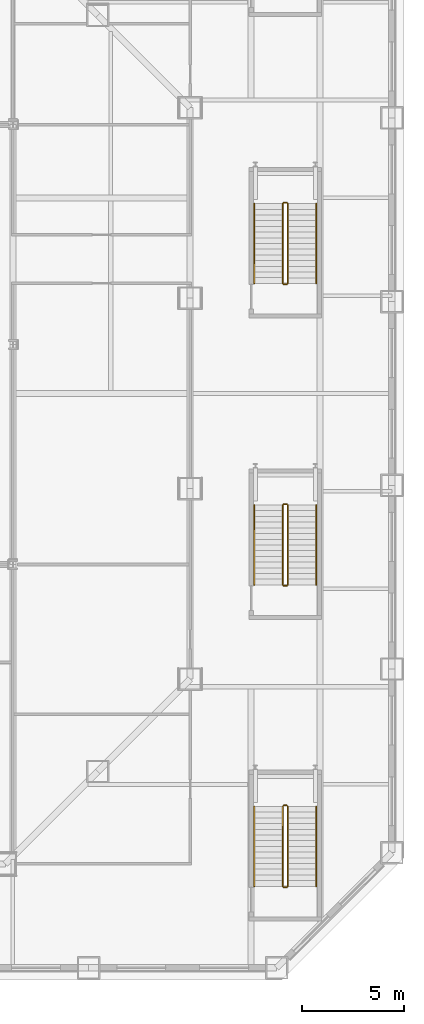
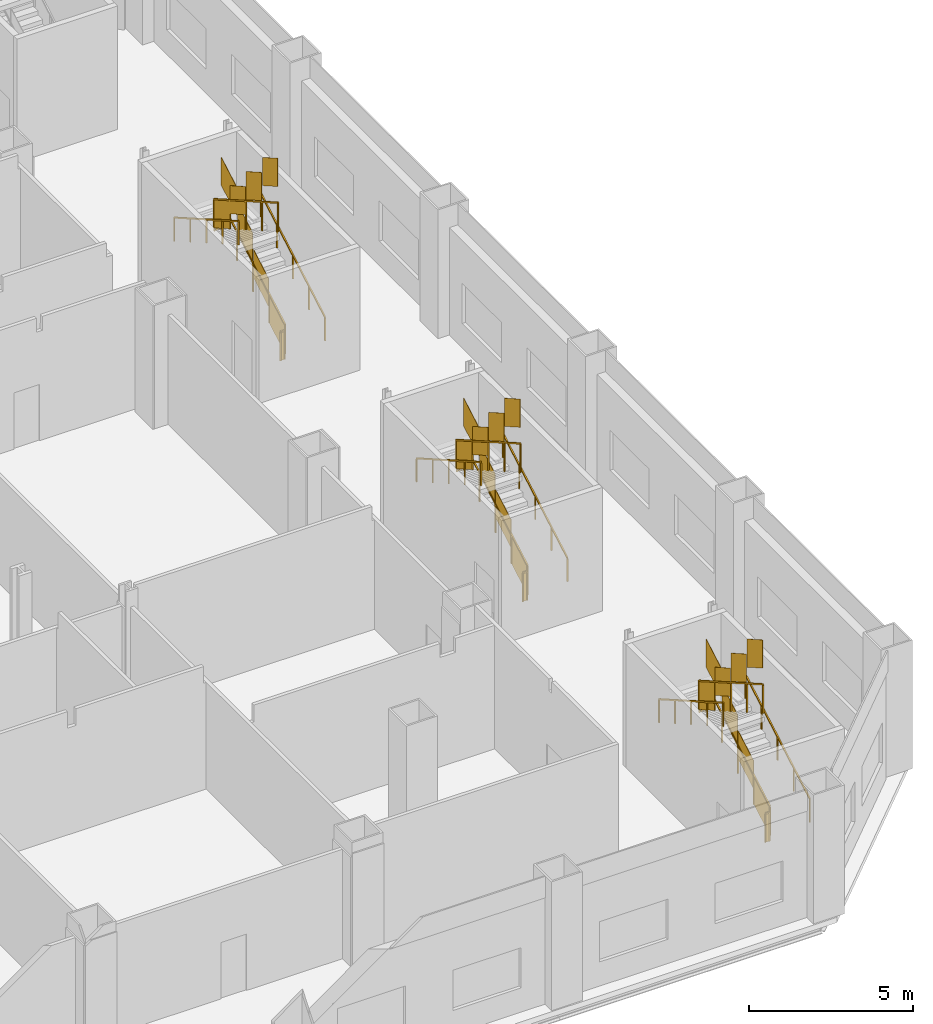
# One storey, part 25 of 26: 18 railings.
"""IFC4 building model written with IfcOpenShell, lengths in metres."""

from ifc_helpers import new_model, si_unit, direction, frame, origin, origin_2d, place, context, subcontext, project, spatial, polyline, rectangle, outline, extrude, material, type_object, element, save


model = new_model("IFC4")

# Units and contexts
model_context = context("Model", 3, precision=1e-05, world=origin(), true_north=direction((0.0, 1.0)))
body_context = subcontext(model_context, "Body", "Model", "MODEL_VIEW")
ifc_project = project(units=[si_unit("LENGTHUNIT", "METRE"), si_unit("AREAUNIT", "SQUARE_METRE"), si_unit("VOLUMEUNIT", "CUBIC_METRE"), si_unit("PLANEANGLEUNIT", "RADIAN"), si_unit("MASSUNIT", "GRAM", prefix="KILO")], contexts=[model_context])

# Site, building, storey
site_placement = place(None, origin())
site = spatial("IfcSite", under=ifc_project, at=site_placement, CompositionType="ELEMENT")
building_placement = place(site_placement, origin())
building = spatial("IfcBuilding", under=site, at=building_placement, Name="Cairn Pilgrim Tower", CompositionType="ELEMENT")
storey_placement = place(building_placement, frame((0.0, 0.0, 25.800048828125)))
storey = spatial("IfcBuildingStorey", under=building, at=storey_placement, Name="L04", CompositionType="ELEMENT", Elevation=25.800048828125)

# Railings
ifc_material = material(Name="Painted steel", Category="steel")
railing_type_1 = type_object("IfcRailingType", Name="PODIUM STAIR GUARD 1100", PredefinedType="GUARDRAIL", material=ifc_material)
railing_1_placement = place(storey_placement, frame((32.699951171875, -24.199951171875, 0.159912109375)))
element("IfcRailing", 1, at=railing_1_placement, inside=storey, type_object=railing_type_1, Name="L04 ST-ES1 stair guard 1", PredefinedType="GUARDRAIL", context=body_context, shape_type="SweptSolid", body=[
    extrude(rectangle(XDim=0.048095703125, YDim=0.048095703125, at=origin_2d()), frame((0.0, 0.0, 1.076171875), z_axis=(0.0, 0.868239814368, 0.496144761885), x_axis=(-1.0, 0.0, 0.0)), (0.0, 0.0, 1.0), 4.514892578125),
    extrude(rectangle(XDim=0.0419921875, YDim=0.0419921875, at=origin_2d()), origin(), (0.0, 0.0, 1.0), 1.052001953125),
    extrude(rectangle(XDim=0.0419921875, YDim=0.0419921875, at=origin_2d()), frame((0.0, 0.97998046875, 0.56005859375)), (0.0, 0.0, 1.0), 1.052001953125),
    extrude(rectangle(XDim=0.0419921875, YDim=0.0419921875, at=origin_2d()), frame((0.0, 1.9599609375, 1.1201171875)), (0.0, 0.0, 1.0), 1.052001953125),
    extrude(rectangle(XDim=0.0419921875, YDim=0.0419921875, at=origin_2d()), frame((0.0, 2.93994140625, 1.679931640625)), (0.0, 0.0, 1.0), 1.052001953125),
    extrude(rectangle(XDim=0.0419921875, YDim=0.0419921875, at=origin_2d()), frame((0.0, 3.919921875, 2.239990234375)), (0.0, 0.0, 1.0), 1.052001953125),
    extrude(outline(polyline([(0.02099609375, 0.011962890625), (0.958984375, 0.548095703125), (0.958984375, 1.60009765625), (0.02099609375, 1.06396484375), (0.02099609375, 0.011962890625)])), frame((-0.005859375, 0.0, 0.0), z_axis=(1.0, 0.0, 0.0), x_axis=(0.0, 1.0, 0.0)), (0.0, 0.0, 1.0), 0.011962890625),
    extrude(outline(polyline([(0.02099609375, 0.572021484375), (0.958984375, 1.10791015625), (0.958984375, 2.159912109375), (0.02099609375, 1.6240234375), (0.02099609375, 0.572021484375)])), frame((-0.005859375, 0.97998046875, 0.56005859375), z_axis=(1.0, 0.0, 0.0), x_axis=(0.0, 1.0, 0.0)), (0.0, 0.0, 1.0), 0.011962890625),
    extrude(outline(polyline([(0.02099609375, 1.132080078125), (0.958984375, 1.66796875), (0.958984375, 2.719970703125), (0.02099609375, 2.18408203125), (0.02099609375, 1.132080078125)])), frame((-0.005859375, 1.9599609375, 1.1201171875), z_axis=(1.0, 0.0, 0.0), x_axis=(0.0, 1.0, 0.0)), (0.0, 0.0, 1.0), 0.011962890625),
    extrude(outline(polyline([(0.02099609375, 1.69189453125), (0.958984375, 2.22802734375), (0.958984375, 3.280029296875), (0.02099609375, 2.743896484375), (0.02099609375, 1.69189453125)])), frame((-0.005859375, 2.93994140625, 1.679931640625), z_axis=(1.0, 0.0, 0.0), x_axis=(0.0, 1.0, 0.0)), (0.0, 0.0, 1.0), 0.011962890625),
])
railing_2_placement = place(storey_placement, frame((32.64990234375, -20.22998046875, 2.39990234375)))
element("IfcRailing", 2, at=railing_2_placement, inside=storey, type_object=railing_type_1, Name="L04 ST-ES1 stair guard 2", PredefinedType="GUARDRAIL", context=body_context, shape_type="SweptSolid", body=[
    extrude(rectangle(XDim=0.048095703125, YDim=0.048095703125, at=origin_2d()), frame((0.0, 0.0, 1.076171875), z_axis=(-1.0, 0.0, 0.0), x_axis=(0.0, -1.0, 0.0)), (0.0, 0.0, 1.0), 0.14990234375),
    extrude(rectangle(XDim=0.0419921875, YDim=0.0419921875, at=origin_2d()), origin(), (0.0, 0.0, 1.0), 1.052001953125),
    extrude(rectangle(XDim=0.0419921875, YDim=0.0419921875, at=origin_2d()), frame((-0.14990234375, 0.0, 0.0)), (0.0, 0.0, 1.0), 1.052001953125),
    extrude(outline(polyline([(0.02099609375, 0.0), (0.12890625, 0.0), (0.12890625, 1.052001953125), (0.02099609375, 1.052001953125), (0.02099609375, 0.0)])), frame((0.0, -0.005859375, 0.0), z_axis=(0.0, 1.0, 0.0), x_axis=(-1.0, 0.0, 0.0)), (0.0, 0.0, 1.0), 0.011962890625),
])
railing_3_placement = place(storey_placement, frame((32.449951171875, -20.280029296875, 2.56005859375)))
element("IfcRailing", 3, at=railing_3_placement, inside=storey, type_object=railing_type_1, Name="L04 ST-ES1 stair guard 3", PredefinedType="GUARDRAIL", context=body_context, shape_type="SweptSolid", body=[
    extrude(rectangle(XDim=0.048095703125, YDim=0.048095703125, at=origin_2d()), frame((0.0, 0.0, 1.076171875), z_axis=(0.0, -0.868239814368, 0.496144761885), x_axis=(1.0, 0.0, 0.0)), (0.0, 0.0, 1.0), 4.514892578125),
    extrude(rectangle(XDim=0.0419921875, YDim=0.0419921875, at=origin_2d()), origin(), (0.0, 0.0, 1.0), 1.052001953125),
    extrude(rectangle(XDim=0.0419921875, YDim=0.0419921875, at=origin_2d()), frame((0.0, -0.97998046875, 0.56005859375)), (0.0, 0.0, 1.0), 1.052001953125),
    extrude(rectangle(XDim=0.0419921875, YDim=0.0419921875, at=origin_2d()), frame((0.0, -1.9599609375, 1.1201171875)), (0.0, 0.0, 1.0), 1.052001953125),
    extrude(rectangle(XDim=0.0419921875, YDim=0.0419921875, at=origin_2d()), frame((0.0, -2.93994140625, 1.679931640625)), (0.0, 0.0, 1.0), 1.052001953125),
    extrude(rectangle(XDim=0.0419921875, YDim=0.0419921875, at=origin_2d()), frame((0.0, -3.919921875, 2.239990234375)), (0.0, 0.0, 1.0), 1.052001953125),
    extrude(outline(polyline([(0.02099609375, 0.011962890625), (0.958984375, 0.548095703125), (0.958984375, 1.60009765625), (0.02099609375, 1.06396484375), (0.02099609375, 0.011962890625)])), frame((0.005859375, 0.0, 0.0), z_axis=(-1.0, 0.0, 0.0), x_axis=(0.0, -1.0, 0.0)), (0.0, 0.0, 1.0), 0.011962890625),
    extrude(outline(polyline([(0.02099609375, 0.572021484375), (0.958984375, 1.10791015625), (0.958984375, 2.159912109375), (0.02099609375, 1.6240234375), (0.02099609375, 0.572021484375)])), frame((0.005859375, -0.97998046875, 0.56005859375), z_axis=(-1.0, 0.0, 0.0), x_axis=(0.0, -1.0, 0.0)), (0.0, 0.0, 1.0), 0.011962890625),
    extrude(outline(polyline([(0.02099609375, 1.132080078125), (0.958984375, 1.66796875), (0.958984375, 2.719970703125), (0.02099609375, 2.18408203125), (0.02099609375, 1.132080078125)])), frame((0.005859375, -1.9599609375, 1.1201171875), z_axis=(-1.0, 0.0, 0.0), x_axis=(0.0, -1.0, 0.0)), (0.0, 0.0, 1.0), 0.011962890625),
    extrude(outline(polyline([(0.02099609375, 1.69189453125), (0.958984375, 2.22802734375), (0.958984375, 3.280029296875), (0.02099609375, 2.743896484375), (0.02099609375, 1.69189453125)])), frame((0.005859375, -2.93994140625, 1.679931640625), z_axis=(-1.0, 0.0, 0.0), x_axis=(0.0, -1.0, 0.0)), (0.0, 0.0, 1.0), 0.011962890625),
])
railing_4_placement = place(storey_placement, frame((32.64990234375, -24.25, 0.0)))
element("IfcRailing", 4, at=railing_4_placement, inside=storey, type_object=railing_type_1, Name="L04 ST-ES1 stair guard 4", PredefinedType="GUARDRAIL", context=body_context, shape_type="SweptSolid", body=[
    extrude(rectangle(XDim=0.048095703125, YDim=0.048095703125, at=origin_2d()), frame((0.0, 0.0, 1.076171875), z_axis=(-1.0, 0.0, 0.0), x_axis=(0.0, -1.0, 0.0)), (0.0, 0.0, 1.0), 0.14990234375),
    extrude(rectangle(XDim=0.0419921875, YDim=0.0419921875, at=origin_2d()), origin(), (0.0, 0.0, 1.0), 1.052001953125),
    extrude(rectangle(XDim=0.0419921875, YDim=0.0419921875, at=origin_2d()), frame((-0.14990234375, 0.0, 0.0)), (0.0, 0.0, 1.0), 1.052001953125),
    extrude(outline(polyline([(0.02099609375, 0.0), (0.12890625, 0.0), (0.12890625, 1.052001953125), (0.02099609375, 1.052001953125), (0.02099609375, 0.0)])), frame((0.0, -0.005859375, 0.0), z_axis=(0.0, 1.0, 0.0), x_axis=(-1.0, 0.0, 0.0)), (0.0, 0.0, 1.0), 0.011962890625),
])
railing_5_placement = place(storey_placement, frame((32.699951171875, -9.39990234375, 0.159912109375)))
element("IfcRailing", 5, at=railing_5_placement, inside=storey, type_object=railing_type_1, Name="L04 ST-ES2 stair guard 1", PredefinedType="GUARDRAIL", context=body_context, shape_type="SweptSolid", body=[
    extrude(rectangle(XDim=0.048095703125, YDim=0.048095703125, at=origin_2d()), frame((0.0, 0.0, 1.076171875), z_axis=(0.0, 0.868239814368, 0.496144761885), x_axis=(-1.0, 0.0, 0.0)), (0.0, 0.0, 1.0), 4.514892578125),
    extrude(rectangle(XDim=0.0419921875, YDim=0.0419921875, at=origin_2d()), origin(), (0.0, 0.0, 1.0), 1.052001953125),
    extrude(rectangle(XDim=0.0419921875, YDim=0.0419921875, at=origin_2d()), frame((0.0, 0.97998046875, 0.56005859375)), (0.0, 0.0, 1.0), 1.052001953125),
    extrude(rectangle(XDim=0.0419921875, YDim=0.0419921875, at=origin_2d()), frame((0.0, 1.9599609375, 1.1201171875)), (0.0, 0.0, 1.0), 1.052001953125),
    extrude(rectangle(XDim=0.0419921875, YDim=0.0419921875, at=origin_2d()), frame((0.0, 2.93994140625, 1.679931640625)), (0.0, 0.0, 1.0), 1.052001953125),
    extrude(rectangle(XDim=0.0419921875, YDim=0.0419921875, at=origin_2d()), frame((0.0, 3.919921875, 2.239990234375)), (0.0, 0.0, 1.0), 1.052001953125),
    extrude(outline(polyline([(0.02099609375, 0.011962890625), (0.958984375, 0.548095703125), (0.958984375, 1.60009765625), (0.02099609375, 1.06396484375), (0.02099609375, 0.011962890625)])), frame((-0.005859375, 0.0, 0.0), z_axis=(1.0, 0.0, 0.0), x_axis=(0.0, 1.0, 0.0)), (0.0, 0.0, 1.0), 0.011962890625),
    extrude(outline(polyline([(0.02099609375, 0.572021484375), (0.958984375, 1.10791015625), (0.958984375, 2.159912109375), (0.02099609375, 1.6240234375), (0.02099609375, 0.572021484375)])), frame((-0.005859375, 0.97998046875, 0.56005859375), z_axis=(1.0, 0.0, 0.0), x_axis=(0.0, 1.0, 0.0)), (0.0, 0.0, 1.0), 0.011962890625),
    extrude(outline(polyline([(0.02099609375, 1.132080078125), (0.958984375, 1.66796875), (0.958984375, 2.719970703125), (0.02099609375, 2.18408203125), (0.02099609375, 1.132080078125)])), frame((-0.005859375, 1.9599609375, 1.1201171875), z_axis=(1.0, 0.0, 0.0), x_axis=(0.0, 1.0, 0.0)), (0.0, 0.0, 1.0), 0.011962890625),
    extrude(outline(polyline([(0.02099609375, 1.69189453125), (0.958984375, 2.22802734375), (0.958984375, 3.280029296875), (0.02099609375, 2.743896484375), (0.02099609375, 1.69189453125)])), frame((-0.005859375, 2.93994140625, 1.679931640625), z_axis=(1.0, 0.0, 0.0), x_axis=(0.0, 1.0, 0.0)), (0.0, 0.0, 1.0), 0.011962890625),
])
railing_6_placement = place(storey_placement, frame((32.64990234375, -5.429931640625, 2.39990234375)))
element("IfcRailing", 6, at=railing_6_placement, inside=storey, type_object=railing_type_1, Name="L04 ST-ES2 stair guard 2", PredefinedType="GUARDRAIL", context=body_context, shape_type="SweptSolid", body=[
    extrude(rectangle(XDim=0.048095703125, YDim=0.048095703125, at=origin_2d()), frame((0.0, 0.0, 1.076171875), z_axis=(-1.0, 0.0, 0.0), x_axis=(0.0, -1.0, 0.0)), (0.0, 0.0, 1.0), 0.14990234375),
    extrude(rectangle(XDim=0.0419921875, YDim=0.0419921875, at=origin_2d()), origin(), (0.0, 0.0, 1.0), 1.052001953125),
    extrude(rectangle(XDim=0.0419921875, YDim=0.0419921875, at=origin_2d()), frame((-0.14990234375, 0.0, 0.0)), (0.0, 0.0, 1.0), 1.052001953125),
    extrude(outline(polyline([(0.02099609375, 0.0), (0.12890625, 0.0), (0.12890625, 1.052001953125), (0.02099609375, 1.052001953125), (0.02099609375, 0.0)])), frame((0.0, -0.005859375, 0.0), z_axis=(0.0, 1.0, 0.0), x_axis=(-1.0, 0.0, 0.0)), (0.0, 0.0, 1.0), 0.011962890625),
])
railing_7_placement = place(storey_placement, frame((32.449951171875, -5.47998046875, 2.56005859375)))
element("IfcRailing", 7, at=railing_7_placement, inside=storey, type_object=railing_type_1, Name="L04 ST-ES2 stair guard 3", PredefinedType="GUARDRAIL", context=body_context, shape_type="SweptSolid", body=[
    extrude(rectangle(XDim=0.048095703125, YDim=0.048095703125, at=origin_2d()), frame((0.0, 0.0, 1.076171875), z_axis=(0.0, -0.868239814368, 0.496144761885), x_axis=(1.0, 0.0, 0.0)), (0.0, 0.0, 1.0), 4.514892578125),
    extrude(rectangle(XDim=0.0419921875, YDim=0.0419921875, at=origin_2d()), origin(), (0.0, 0.0, 1.0), 1.052001953125),
    extrude(rectangle(XDim=0.0419921875, YDim=0.0419921875, at=origin_2d()), frame((0.0, -0.97998046875, 0.56005859375)), (0.0, 0.0, 1.0), 1.052001953125),
    extrude(rectangle(XDim=0.0419921875, YDim=0.0419921875, at=origin_2d()), frame((0.0, -1.9599609375, 1.1201171875)), (0.0, 0.0, 1.0), 1.052001953125),
    extrude(rectangle(XDim=0.0419921875, YDim=0.0419921875, at=origin_2d()), frame((0.0, -2.93994140625, 1.679931640625)), (0.0, 0.0, 1.0), 1.052001953125),
    extrude(rectangle(XDim=0.0419921875, YDim=0.0419921875, at=origin_2d()), frame((0.0, -3.919921875, 2.239990234375)), (0.0, 0.0, 1.0), 1.052001953125),
    extrude(outline(polyline([(0.02099609375, 0.011962890625), (0.958984375, 0.548095703125), (0.958984375, 1.60009765625), (0.02099609375, 1.06396484375), (0.02099609375, 0.011962890625)])), frame((0.005859375, 0.0, 0.0), z_axis=(-1.0, 0.0, 0.0), x_axis=(0.0, -1.0, 0.0)), (0.0, 0.0, 1.0), 0.011962890625),
    extrude(outline(polyline([(0.02099609375, 0.572021484375), (0.958984375, 1.10791015625), (0.958984375, 2.159912109375), (0.02099609375, 1.6240234375), (0.02099609375, 0.572021484375)])), frame((0.005859375, -0.97998046875, 0.56005859375), z_axis=(-1.0, 0.0, 0.0), x_axis=(0.0, -1.0, 0.0)), (0.0, 0.0, 1.0), 0.011962890625),
    extrude(outline(polyline([(0.02099609375, 1.132080078125), (0.958984375, 1.66796875), (0.958984375, 2.719970703125), (0.02099609375, 2.18408203125), (0.02099609375, 1.132080078125)])), frame((0.005859375, -1.9599609375, 1.1201171875), z_axis=(-1.0, 0.0, 0.0), x_axis=(0.0, -1.0, 0.0)), (0.0, 0.0, 1.0), 0.011962890625),
    extrude(outline(polyline([(0.02099609375, 1.69189453125), (0.958984375, 2.22802734375), (0.958984375, 3.280029296875), (0.02099609375, 2.743896484375), (0.02099609375, 1.69189453125)])), frame((0.005859375, -2.93994140625, 1.679931640625), z_axis=(-1.0, 0.0, 0.0), x_axis=(0.0, -1.0, 0.0)), (0.0, 0.0, 1.0), 0.011962890625),
])
railing_8_placement = place(storey_placement, frame((32.64990234375, -9.449951171875, 0.0)))
element("IfcRailing", 8, at=railing_8_placement, inside=storey, type_object=railing_type_1, Name="L04 ST-ES2 stair guard 4", PredefinedType="GUARDRAIL", context=body_context, shape_type="SweptSolid", body=[
    extrude(rectangle(XDim=0.048095703125, YDim=0.048095703125, at=origin_2d()), frame((0.0, 0.0, 1.076171875), z_axis=(-1.0, 0.0, 0.0), x_axis=(0.0, -1.0, 0.0)), (0.0, 0.0, 1.0), 0.14990234375),
    extrude(rectangle(XDim=0.0419921875, YDim=0.0419921875, at=origin_2d()), origin(), (0.0, 0.0, 1.0), 1.052001953125),
    extrude(rectangle(XDim=0.0419921875, YDim=0.0419921875, at=origin_2d()), frame((-0.14990234375, 0.0, 0.0)), (0.0, 0.0, 1.0), 1.052001953125),
    extrude(outline(polyline([(0.02099609375, 0.0), (0.12890625, 0.0), (0.12890625, 1.052001953125), (0.02099609375, 1.052001953125), (0.02099609375, 0.0)])), frame((0.0, -0.005859375, 0.0), z_axis=(0.0, 1.0, 0.0), x_axis=(-1.0, 0.0, 0.0)), (0.0, 0.0, 1.0), 0.011962890625),
])
railing_9_placement = place(storey_placement, frame((32.699951171875, 5.39990234375, 0.159912109375)))
element("IfcRailing", 9, at=railing_9_placement, inside=storey, type_object=railing_type_1, Name="L04 ST-ES3 stair guard 1", PredefinedType="GUARDRAIL", context=body_context, shape_type="SweptSolid", body=[
    extrude(rectangle(XDim=0.048095703125, YDim=0.048095703125, at=origin_2d()), frame((0.0, 0.0, 1.076171875), z_axis=(0.0, 0.86825312469, 0.496121468458), x_axis=(-1.0, 0.0, 0.0)), (0.0, 0.0, 1.0), 4.514892578125),
    extrude(rectangle(XDim=0.0419921875, YDim=0.0419921875, at=origin_2d()), origin(), (0.0, 0.0, 1.0), 1.052001953125),
    extrude(rectangle(XDim=0.0419921875, YDim=0.0419921875, at=origin_2d()), frame((0.0, 0.97998046875, 0.56005859375)), (0.0, 0.0, 1.0), 1.052001953125),
    extrude(rectangle(XDim=0.0419921875, YDim=0.0419921875, at=origin_2d()), frame((0.0, 1.9599609375, 1.1201171875)), (0.0, 0.0, 1.0), 1.052001953125),
    extrude(rectangle(XDim=0.0419921875, YDim=0.0419921875, at=origin_2d()), frame((0.0, 2.940185546875, 1.679931640625)), (0.0, 0.0, 1.0), 1.052001953125),
    extrude(rectangle(XDim=0.0419921875, YDim=0.0419921875, at=origin_2d()), frame((0.0, 3.920166015625, 2.239990234375)), (0.0, 0.0, 1.0), 1.052001953125),
    extrude(outline(polyline([(0.02099609375, 0.011962890625), (0.958984375, 0.548095703125), (0.958984375, 1.60009765625), (0.02099609375, 1.06396484375), (0.02099609375, 0.011962890625)])), frame((-0.005859375, 0.0, 0.0), z_axis=(1.0, 0.0, 0.0), x_axis=(0.0, 1.0, 0.0)), (0.0, 0.0, 1.0), 0.011962890625),
    extrude(outline(polyline([(0.02099609375, 0.572021484375), (0.958984375, 1.10791015625), (0.958984375, 2.159912109375), (0.02099609375, 1.6240234375), (0.02099609375, 0.572021484375)])), frame((-0.005859375, 0.97998046875, 0.56005859375), z_axis=(1.0, 0.0, 0.0), x_axis=(0.0, 1.0, 0.0)), (0.0, 0.0, 1.0), 0.011962890625),
    extrude(outline(polyline([(0.02099609375, 1.132080078125), (0.958984375, 1.66796875), (0.958984375, 2.719970703125), (0.02099609375, 2.18408203125), (0.02099609375, 1.132080078125)])), frame((-0.005859375, 1.9599609375, 1.1201171875), z_axis=(1.0, 0.0, 0.0), x_axis=(0.0, 1.0, 0.0)), (0.0, 0.0, 1.0), 0.011962890625),
    extrude(outline(polyline([(0.02099609375, 1.69189453125), (0.958984375, 2.22802734375), (0.958984375, 3.280029296875), (0.02099609375, 2.743896484375), (0.02099609375, 1.69189453125)])), frame((-0.005859375, 2.940185546875, 1.679931640625), z_axis=(1.0, 0.0, 0.0), x_axis=(0.0, 1.0, 0.0)), (0.0, 0.0, 1.0), 0.011962890625),
])
railing_10_placement = place(storey_placement, frame((32.64990234375, 9.3701171875, 2.39990234375)))
element("IfcRailing", 10, at=railing_10_placement, inside=storey, type_object=railing_type_1, Name="L04 ST-ES3 stair guard 2", PredefinedType="GUARDRAIL", context=body_context, shape_type="SweptSolid", body=[
    extrude(rectangle(XDim=0.048095703125, YDim=0.048095703125, at=origin_2d()), frame((0.0, 0.0, 1.076171875), z_axis=(-1.0, 0.0, 0.0), x_axis=(0.0, -1.0, 0.0)), (0.0, 0.0, 1.0), 0.14990234375),
    extrude(rectangle(XDim=0.0419921875, YDim=0.0419921875, at=origin_2d()), origin(), (0.0, 0.0, 1.0), 1.052001953125),
    extrude(rectangle(XDim=0.0419921875, YDim=0.0419921875, at=origin_2d()), frame((-0.14990234375, 0.0, 0.0)), (0.0, 0.0, 1.0), 1.052001953125),
    extrude(outline(polyline([(0.02099609375, 0.0), (0.12890625, 0.0), (0.12890625, 1.052001953125), (0.02099609375, 1.052001953125), (0.02099609375, 0.0)])), frame((0.0, -0.005859375, 0.0), z_axis=(0.0, 1.0, 0.0), x_axis=(-1.0, 0.0, 0.0)), (0.0, 0.0, 1.0), 0.011962890625),
])
railing_11_placement = place(storey_placement, frame((32.449951171875, 9.320068359375, 2.56005859375)))
element("IfcRailing", 11, at=railing_11_placement, inside=storey, type_object=railing_type_1, Name="L04 ST-ES3 stair guard 3", PredefinedType="GUARDRAIL", context=body_context, shape_type="SweptSolid", body=[
    extrude(rectangle(XDim=0.048095703125, YDim=0.048095703125, at=origin_2d()), frame((0.0, 0.0, 1.076171875), z_axis=(0.0, -0.86825312469, 0.496121468458), x_axis=(1.0, 0.0, 0.0)), (0.0, 0.0, 1.0), 4.514892578125),
    extrude(rectangle(XDim=0.0419921875, YDim=0.0419921875, at=origin_2d()), origin(), (0.0, 0.0, 1.0), 1.052001953125),
    extrude(rectangle(XDim=0.0419921875, YDim=0.0419921875, at=origin_2d()), frame((0.0, -0.97998046875, 0.56005859375)), (0.0, 0.0, 1.0), 1.052001953125),
    extrude(rectangle(XDim=0.0419921875, YDim=0.0419921875, at=origin_2d()), frame((0.0, -1.9599609375, 1.1201171875)), (0.0, 0.0, 1.0), 1.052001953125),
    extrude(rectangle(XDim=0.0419921875, YDim=0.0419921875, at=origin_2d()), frame((0.0, -2.940185546875, 1.679931640625)), (0.0, 0.0, 1.0), 1.052001953125),
    extrude(rectangle(XDim=0.0419921875, YDim=0.0419921875, at=origin_2d()), frame((0.0, -3.920166015625, 2.239990234375)), (0.0, 0.0, 1.0), 1.052001953125),
    extrude(outline(polyline([(0.02099609375, 0.011962890625), (0.958984375, 0.548095703125), (0.958984375, 1.60009765625), (0.02099609375, 1.06396484375), (0.02099609375, 0.011962890625)])), frame((0.005859375, 0.0, 0.0), z_axis=(-1.0, 0.0, 0.0), x_axis=(0.0, -1.0, 0.0)), (0.0, 0.0, 1.0), 0.011962890625),
    extrude(outline(polyline([(0.02099609375, 0.572021484375), (0.958984375, 1.10791015625), (0.958984375, 2.159912109375), (0.02099609375, 1.6240234375), (0.02099609375, 0.572021484375)])), frame((0.005859375, -0.97998046875, 0.56005859375), z_axis=(-1.0, 0.0, 0.0), x_axis=(0.0, -1.0, 0.0)), (0.0, 0.0, 1.0), 0.011962890625),
    extrude(outline(polyline([(0.02099609375, 1.132080078125), (0.958984375, 1.66796875), (0.958984375, 2.719970703125), (0.02099609375, 2.18408203125), (0.02099609375, 1.132080078125)])), frame((0.005859375, -1.9599609375, 1.1201171875), z_axis=(-1.0, 0.0, 0.0), x_axis=(0.0, -1.0, 0.0)), (0.0, 0.0, 1.0), 0.011962890625),
    extrude(outline(polyline([(0.02099609375, 1.69189453125), (0.958984375, 2.22802734375), (0.958984375, 3.280029296875), (0.02099609375, 2.743896484375), (0.02099609375, 1.69189453125)])), frame((0.005859375, -2.940185546875, 1.679931640625), z_axis=(-1.0, 0.0, 0.0), x_axis=(0.0, -1.0, 0.0)), (0.0, 0.0, 1.0), 0.011962890625),
])
railing_12_placement = place(storey_placement, frame((32.64990234375, 5.35009765625, 0.0)))
element("IfcRailing", 12, at=railing_12_placement, inside=storey, type_object=railing_type_1, Name="L04 ST-ES3 stair guard 4", PredefinedType="GUARDRAIL", context=body_context, shape_type="SweptSolid", body=[
    extrude(rectangle(XDim=0.048095703125, YDim=0.048095703125, at=origin_2d()), frame((0.0, 0.0, 1.076171875), z_axis=(-1.0, 0.0, 0.0), x_axis=(0.0, -1.0, 0.0)), (0.0, 0.0, 1.0), 0.14990234375),
    extrude(rectangle(XDim=0.0419921875, YDim=0.0419921875, at=origin_2d()), origin(), (0.0, 0.0, 1.0), 1.052001953125),
    extrude(rectangle(XDim=0.0419921875, YDim=0.0419921875, at=origin_2d()), frame((-0.14990234375, 0.0, 0.0)), (0.0, 0.0, 1.0), 1.052001953125),
    extrude(outline(polyline([(0.02099609375, 0.0), (0.12890625, 0.0), (0.12890625, 1.052001953125), (0.02099609375, 1.052001953125), (0.02099609375, 0.0)])), frame((0.0, -0.005859375, 0.0), z_axis=(0.0, 1.0, 0.0), x_axis=(-1.0, 0.0, 0.0)), (0.0, 0.0, 1.0), 0.011962890625),
])
railing_type_2 = type_object("IfcRailingType", Name="PODIUM STAIR HANDRAIL 900", PredefinedType="HANDRAIL", material=ifc_material)
railing_13_placement = place(storey_placement, frame((34.10009765625, -24.199951171875, 0.159912109375)))
element("IfcRailing", 13, at=railing_13_placement, inside=storey, type_object=railing_type_2, Name="L04 ST-ES1 stair handrail 1", PredefinedType="HANDRAIL", context=body_context, shape_type="SweptSolid", body=[
    extrude(rectangle(XDim=0.048095703125, YDim=0.048095703125, at=origin_2d()), frame((0.0, 0.0, 0.8759765625), z_axis=(0.0, 0.868239814368, 0.496144761885), x_axis=(-1.0, 0.0, 0.0)), (0.0, 0.0, 1.0), 4.514892578125),
    extrude(rectangle(XDim=0.0419921875, YDim=0.0419921875, at=origin_2d()), origin(), (0.0, 0.0, 1.0), 0.851806640625),
    extrude(rectangle(XDim=0.0419921875, YDim=0.0419921875, at=origin_2d()), frame((0.0, 0.97998046875, 0.56005859375)), (0.0, 0.0, 1.0), 0.851806640625),
    extrude(rectangle(XDim=0.0419921875, YDim=0.0419921875, at=origin_2d()), frame((0.0, 1.9599609375, 1.1201171875)), (0.0, 0.0, 1.0), 0.851806640625),
    extrude(rectangle(XDim=0.0419921875, YDim=0.0419921875, at=origin_2d()), frame((0.0, 2.93994140625, 1.679931640625)), (0.0, 0.0, 1.0), 0.851806640625),
    extrude(rectangle(XDim=0.0419921875, YDim=0.0419921875, at=origin_2d()), frame((0.0, 3.919921875, 2.239990234375)), (0.0, 0.0, 1.0), 0.851806640625),
])
railing_14_placement = place(storey_placement, frame((31.050048828125, -20.280029296875, 2.56005859375)))
element("IfcRailing", 14, at=railing_14_placement, inside=storey, type_object=railing_type_2, Name="L04 ST-ES1 stair handrail 2", PredefinedType="HANDRAIL", context=body_context, shape_type="SweptSolid", body=[
    extrude(rectangle(XDim=0.048095703125, YDim=0.048095703125, at=origin_2d()), frame((0.0, 0.0, 0.8759765625), z_axis=(0.0, -0.868239814368, 0.496144761885), x_axis=(1.0, 0.0, 0.0)), (0.0, 0.0, 1.0), 4.514892578125),
    extrude(rectangle(XDim=0.0419921875, YDim=0.0419921875, at=origin_2d()), origin(), (0.0, 0.0, 1.0), 0.851806640625),
    extrude(rectangle(XDim=0.0419921875, YDim=0.0419921875, at=origin_2d()), frame((0.0, -0.97998046875, 0.56005859375)), (0.0, 0.0, 1.0), 0.851806640625),
    extrude(rectangle(XDim=0.0419921875, YDim=0.0419921875, at=origin_2d()), frame((0.0, -1.9599609375, 1.1201171875)), (0.0, 0.0, 1.0), 0.851806640625),
    extrude(rectangle(XDim=0.0419921875, YDim=0.0419921875, at=origin_2d()), frame((0.0, -2.93994140625, 1.679931640625)), (0.0, 0.0, 1.0), 0.851806640625),
    extrude(rectangle(XDim=0.0419921875, YDim=0.0419921875, at=origin_2d()), frame((0.0, -3.919921875, 2.239990234375)), (0.0, 0.0, 1.0), 0.851806640625),
])
railing_15_placement = place(storey_placement, frame((34.10009765625, -9.39990234375, 0.159912109375)))
element("IfcRailing", 15, at=railing_15_placement, inside=storey, type_object=railing_type_2, Name="L04 ST-ES2 stair handrail 1", PredefinedType="HANDRAIL", context=body_context, shape_type="SweptSolid", body=[
    extrude(rectangle(XDim=0.048095703125, YDim=0.048095703125, at=origin_2d()), frame((0.0, 0.0, 0.8759765625), z_axis=(0.0, 0.868239814368, 0.496144761885), x_axis=(-1.0, 0.0, 0.0)), (0.0, 0.0, 1.0), 4.514892578125),
    extrude(rectangle(XDim=0.0419921875, YDim=0.0419921875, at=origin_2d()), origin(), (0.0, 0.0, 1.0), 0.851806640625),
    extrude(rectangle(XDim=0.0419921875, YDim=0.0419921875, at=origin_2d()), frame((0.0, 0.97998046875, 0.56005859375)), (0.0, 0.0, 1.0), 0.851806640625),
    extrude(rectangle(XDim=0.0419921875, YDim=0.0419921875, at=origin_2d()), frame((0.0, 1.9599609375, 1.1201171875)), (0.0, 0.0, 1.0), 0.851806640625),
    extrude(rectangle(XDim=0.0419921875, YDim=0.0419921875, at=origin_2d()), frame((0.0, 2.93994140625, 1.679931640625)), (0.0, 0.0, 1.0), 0.851806640625),
    extrude(rectangle(XDim=0.0419921875, YDim=0.0419921875, at=origin_2d()), frame((0.0, 3.919921875, 2.239990234375)), (0.0, 0.0, 1.0), 0.851806640625),
])
railing_16_placement = place(storey_placement, frame((31.050048828125, -5.47998046875, 2.56005859375)))
element("IfcRailing", 16, at=railing_16_placement, inside=storey, type_object=railing_type_2, Name="L04 ST-ES2 stair handrail 2", PredefinedType="HANDRAIL", context=body_context, shape_type="SweptSolid", body=[
    extrude(rectangle(XDim=0.048095703125, YDim=0.048095703125, at=origin_2d()), frame((0.0, 0.0, 0.8759765625), z_axis=(0.0, -0.868239814368, 0.496144761885), x_axis=(1.0, 0.0, 0.0)), (0.0, 0.0, 1.0), 4.514892578125),
    extrude(rectangle(XDim=0.0419921875, YDim=0.0419921875, at=origin_2d()), origin(), (0.0, 0.0, 1.0), 0.851806640625),
    extrude(rectangle(XDim=0.0419921875, YDim=0.0419921875, at=origin_2d()), frame((0.0, -0.97998046875, 0.56005859375)), (0.0, 0.0, 1.0), 0.851806640625),
    extrude(rectangle(XDim=0.0419921875, YDim=0.0419921875, at=origin_2d()), frame((0.0, -1.9599609375, 1.1201171875)), (0.0, 0.0, 1.0), 0.851806640625),
    extrude(rectangle(XDim=0.0419921875, YDim=0.0419921875, at=origin_2d()), frame((0.0, -2.93994140625, 1.679931640625)), (0.0, 0.0, 1.0), 0.851806640625),
    extrude(rectangle(XDim=0.0419921875, YDim=0.0419921875, at=origin_2d()), frame((0.0, -3.919921875, 2.239990234375)), (0.0, 0.0, 1.0), 0.851806640625),
])
railing_17_placement = place(storey_placement, frame((34.10009765625, 5.39990234375, 0.159912109375)))
element("IfcRailing", 17, at=railing_17_placement, inside=storey, type_object=railing_type_2, Name="L04 ST-ES3 stair handrail 1", PredefinedType="HANDRAIL", context=body_context, shape_type="SweptSolid", body=[
    extrude(rectangle(XDim=0.048095703125, YDim=0.048095703125, at=origin_2d()), frame((0.0, 0.0, 0.8759765625), z_axis=(0.0, 0.86825312469, 0.496121468458), x_axis=(-1.0, 0.0, 0.0)), (0.0, 0.0, 1.0), 4.514892578125),
    extrude(rectangle(XDim=0.0419921875, YDim=0.0419921875, at=origin_2d()), origin(), (0.0, 0.0, 1.0), 0.851806640625),
    extrude(rectangle(XDim=0.0419921875, YDim=0.0419921875, at=origin_2d()), frame((0.0, 0.97998046875, 0.56005859375)), (0.0, 0.0, 1.0), 0.851806640625),
    extrude(rectangle(XDim=0.0419921875, YDim=0.0419921875, at=origin_2d()), frame((0.0, 1.9599609375, 1.1201171875)), (0.0, 0.0, 1.0), 0.851806640625),
    extrude(rectangle(XDim=0.0419921875, YDim=0.0419921875, at=origin_2d()), frame((0.0, 2.940185546875, 1.679931640625)), (0.0, 0.0, 1.0), 0.851806640625),
    extrude(rectangle(XDim=0.0419921875, YDim=0.0419921875, at=origin_2d()), frame((0.0, 3.920166015625, 2.239990234375)), (0.0, 0.0, 1.0), 0.851806640625),
])
railing_18_placement = place(storey_placement, frame((31.050048828125, 9.320068359375, 2.56005859375)))
element("IfcRailing", 18, at=railing_18_placement, inside=storey, type_object=railing_type_2, Name="L04 ST-ES3 stair handrail 2", PredefinedType="HANDRAIL", context=body_context, shape_type="SweptSolid", body=[
    extrude(rectangle(XDim=0.048095703125, YDim=0.048095703125, at=origin_2d()), frame((0.0, 0.0, 0.8759765625), z_axis=(0.0, -0.86825312469, 0.496121468458), x_axis=(1.0, 0.0, 0.0)), (0.0, 0.0, 1.0), 4.514892578125),
    extrude(rectangle(XDim=0.0419921875, YDim=0.0419921875, at=origin_2d()), origin(), (0.0, 0.0, 1.0), 0.851806640625),
    extrude(rectangle(XDim=0.0419921875, YDim=0.0419921875, at=origin_2d()), frame((0.0, -0.97998046875, 0.56005859375)), (0.0, 0.0, 1.0), 0.851806640625),
    extrude(rectangle(XDim=0.0419921875, YDim=0.0419921875, at=origin_2d()), frame((0.0, -1.9599609375, 1.1201171875)), (0.0, 0.0, 1.0), 0.851806640625),
    extrude(rectangle(XDim=0.0419921875, YDim=0.0419921875, at=origin_2d()), frame((0.0, -2.940185546875, 1.679931640625)), (0.0, 0.0, 1.0), 0.851806640625),
    extrude(rectangle(XDim=0.0419921875, YDim=0.0419921875, at=origin_2d()), frame((0.0, -3.920166015625, 2.239990234375)), (0.0, 0.0, 1.0), 0.851806640625),
])

save(model, "model.ifc")
